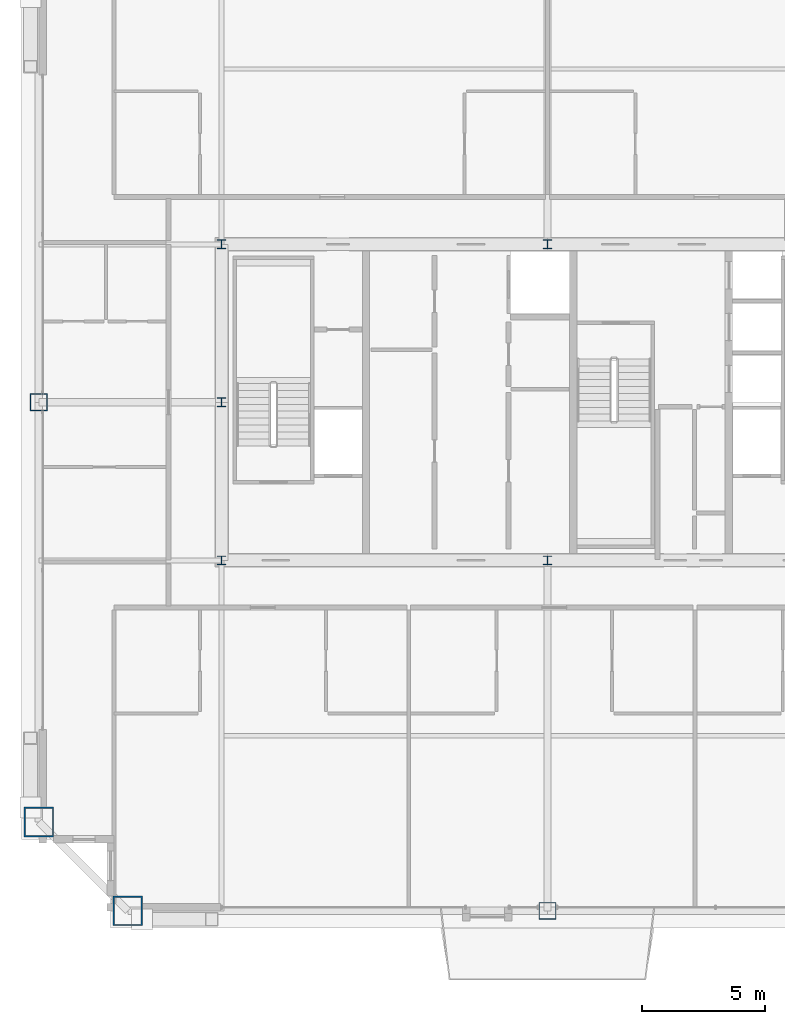
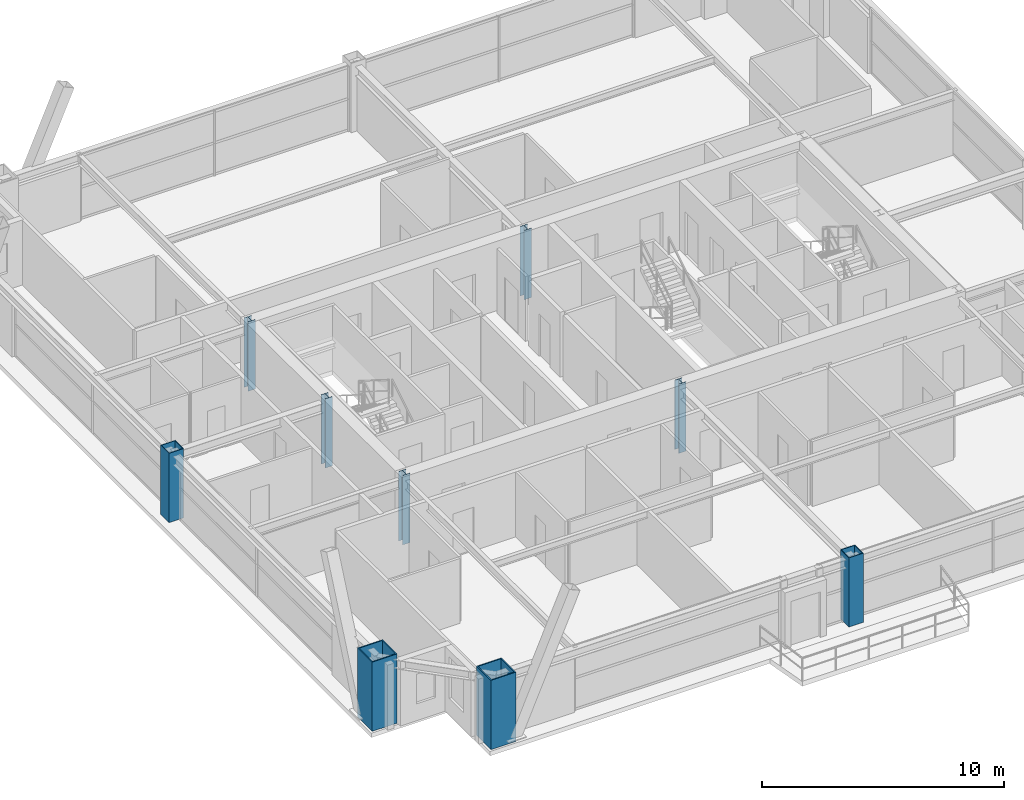
# One storey, part 1 of 35: 9 columns.
"""IFC4 building model written with IfcOpenShell, lengths in metres."""

from ifc_helpers import new_model, si_unit, direction, frame, origin, origin_2d, place, context, subcontext, project, spatial, hollow_rectangle, i_section, extrude, source, transform, mapped, material, material_profile, profile_set, type_object, element, save


model = new_model("IFC4")

# Units and contexts
model_context = context("Model", 3, precision=1e-05, world=origin(), true_north=direction((0.0, 1.0)))
body_context = subcontext(model_context, "Body", "Model", "MODEL_VIEW")
ifc_project = project(units=[si_unit("LENGTHUNIT", "METRE"), si_unit("AREAUNIT", "SQUARE_METRE"), si_unit("VOLUMEUNIT", "CUBIC_METRE"), si_unit("PLANEANGLEUNIT", "RADIAN"), si_unit("MASSUNIT", "GRAM", prefix="KILO"), si_unit("THERMODYNAMICTEMPERATUREUNIT", "KELVIN"), si_unit("POWERUNIT", "WATT")], contexts=[model_context])

# Site, building, storey
site_placement = place(None, origin())
site = spatial("IfcSite", under=ifc_project, at=site_placement, CompositionType="ELEMENT")
building_placement = place(site_placement, origin())
building = spatial("IfcBuilding", under=site, at=building_placement, Name="Yuzanri Waterfront Tower", CompositionType="ELEMENT")
storey_placement = place(building_placement, frame((0.0, 0.0, 271.60009765625)))
storey = spatial("IfcBuildingStorey", under=building, at=storey_placement, Name="L72", CompositionType="ELEMENT", Elevation=271.60009765625)

# Columns
ifc_material_1 = material(Name="Steel Q390GJC", Category="steel")
ifc_material_profile_1 = material_profile(ifc_material_1, hollow_rectangle(XDim=1.199951171875, YDim=1.199951171875, WallThickness=0.054931640625, at=origin_2d()), Name="RHS 1200x1200x55")
ifc_profile_set_1 = profile_set([ifc_material_profile_1], Name="Steel Q390GJC")
column_type_1 = type_object("IfcColumnType", Name="Mega Column Q390GJC RHS 1200x1200x55", PredefinedType="COLUMN", material=ifc_profile_set_1)
shared_shape_1 = source(origin(), body_context, "Body", "SweptSolid", [
    extrude(hollow_rectangle(XDim=1.199951171875, YDim=1.199951171875, WallThickness=0.054931640625, at=origin_2d()), origin(), (0.0, 0.0, 1.0), 3.5),
])
for number, where, z_axis, x_axis, name in (
    (1, (20.0, 5.199951171875, 0.0), (0.0, 0.0, 1.0), (1.0, 0.0, 0.0), "L72 Perimeter Mega Column S1"),
    (2, (16.39990234375, 8.800048828125, 0.0), (0.0, 0.0, 1.0), (1.0, 0.0, 0.0), "L72 Perimeter Mega Column W1"),
):
    element("IfcColumn", number, at=place(storey_placement, frame(where, z_axis=z_axis, x_axis=x_axis)), inside=storey, type_object=column_type_1, Name=name, PredefinedType="COLUMN", context=body_context, shape_type="MappedRepresentation", body=[
        mapped(shared_shape_1, transform((0.0, 0.0, 0.0), scale=1.0)),
    ])
ifc_material_2 = material(Name="Steel Q355B", Category="steel")
ifc_material_profile_2 = material_profile(ifc_material_2, hollow_rectangle(XDim=0.699951171875, YDim=0.699951171875, WallThickness=0.031982421875, at=origin_2d()), Name="RHS 700x700x32")
ifc_profile_set_2 = profile_set([ifc_material_profile_2], Name="Steel Q355B")
column_type_2 = type_object("IfcColumnType", Name="Frame Column Q355B RHS 700x700x32", PredefinedType="COLUMN", material=ifc_profile_set_2)
shared_shape_2 = source(origin(), body_context, "Body", "SweptSolid", [
    extrude(hollow_rectangle(XDim=0.699951171875, YDim=0.699951171875, WallThickness=0.031982421875, at=origin_2d()), origin(), (0.0, 0.0, 1.0), 3.5),
])
for number, where, z_axis, x_axis, name in (
    (3, (37.0, 5.199951171875, 0.0), (0.0, 0.0, 1.0), (1.0, 0.0, 0.0), "L72 Perimeter Frame Column S2"),
    (4, (16.39990234375, 25.800048828125, 0.0), (0.0, 0.0, 1.0), (1.0, 0.0, 0.0), "L72 Perimeter Frame Column W2"),
):
    element("IfcColumn", number, at=place(storey_placement, frame(where, z_axis=z_axis, x_axis=x_axis)), inside=storey, type_object=column_type_2, Name=name, PredefinedType="COLUMN", context=body_context, shape_type="MappedRepresentation", body=[
        mapped(shared_shape_2, transform((0.0, 0.0, 0.0), scale=1.0)),
    ])
ifc_material_3 = material(Name="Steel Q355B", Category="steel")
ifc_material_profile_3 = material_profile(ifc_material_3, i_section(OverallWidth=0.35009765625, OverallDepth=0.35009765625, WebThickness=0.011962890625, FlangeThickness=0.01904296875, at=origin_2d()), Name="HW 350x350x12x19")
ifc_profile_set_3 = profile_set([ifc_material_profile_3], Name="Steel Q355B")
column_type_3 = type_object("IfcColumnType", Name="Core Post Q355B HW 350x350x12x19", PredefinedType="COLUMN", material=ifc_profile_set_3)
shared_shape_3 = source(origin(), body_context, "Body", "SweptSolid", [
    extrude(i_section(OverallWidth=0.35009765625, OverallDepth=0.35009765625, WebThickness=0.011962890625, FlangeThickness=0.01904296875, at=origin_2d()), origin(), (0.0, 0.0, 1.0), 3.5),
])
for number, where, z_axis, x_axis, name in (
    (5, (23.800048828125, 19.39990234375, 0.0), (0.0, 0.0, 1.0), (1.0, 0.0, 0.0), "L72 Core Boundary Column CP1"),
    (6, (37.0, 19.39990234375, 0.0), (0.0, 0.0, 1.0), (1.0, 0.0, 0.0), "L72 Core Boundary Column CP2"),
    (7, (23.800048828125, 25.800048828125, 0.0), (0.0, 0.0, 1.0), (1.0, 0.0, 0.0), "L72 Core Boundary Column CP4"),
    (8, (23.800048828125, 32.199951171875, 0.0), (0.0, 0.0, 1.0), (1.0, 0.0, 0.0), "L72 Core Boundary Column CP6"),
    (9, (37.0, 32.199951171875, 0.0), (0.0, 0.0, 1.0), (1.0, 0.0, 0.0), "L72 Core Boundary Column CP7"),
):
    element("IfcColumn", number, at=place(storey_placement, frame(where, z_axis=z_axis, x_axis=x_axis)), inside=storey, type_object=column_type_3, Name=name, PredefinedType="COLUMN", context=body_context, shape_type="MappedRepresentation", body=[
        mapped(shared_shape_3, transform((0.0, 0.0, 0.0), scale=1.0)),
    ])

save(model, "model.ifc")
